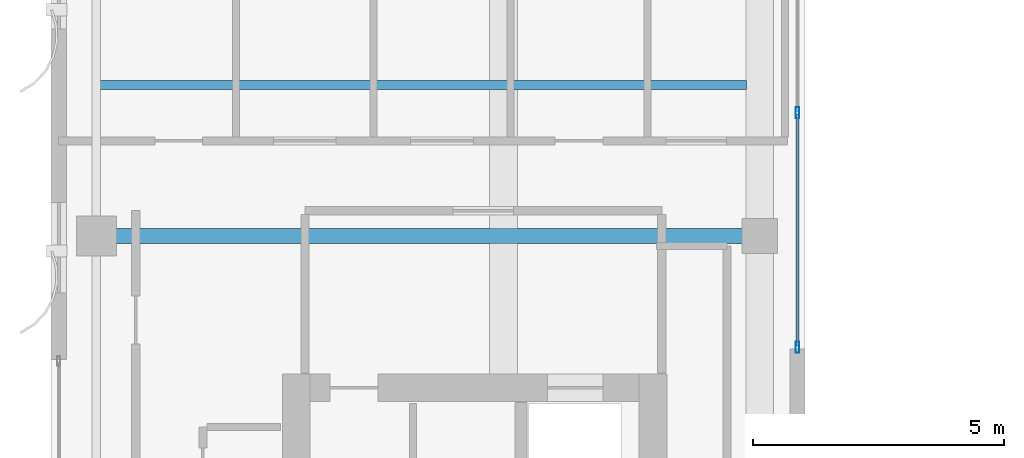
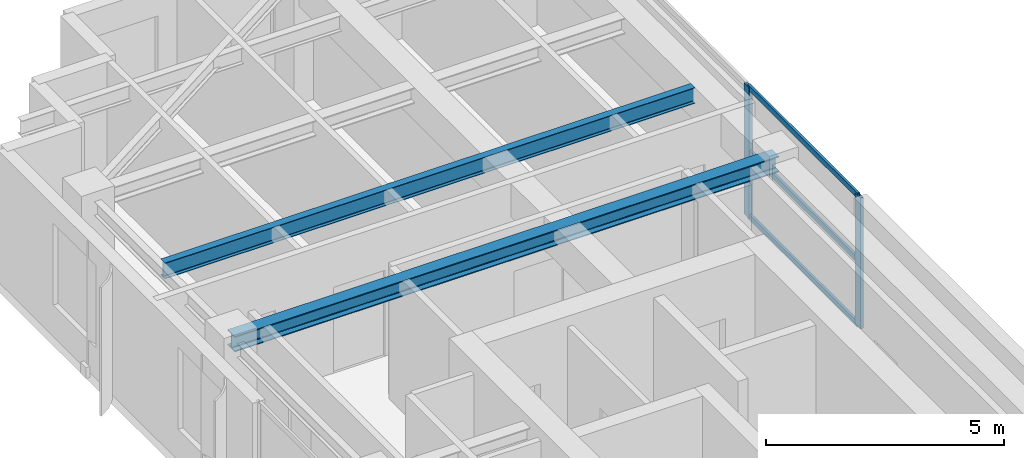
# One storey, part 9 of 22: 5 members, 2 beams, 1 element without a shape of its own.
"""IFC4 building model written with IfcOpenShell, lengths in metres."""

from ifc_helpers import new_model, si_unit, direction, frame, origin, origin_2d, place, context, subcontext, project, spatial, hollow_rectangle, i_section, extrude, source, transform, mapped, material, layer, layer_set, material_profile, profile_set, type_object, element, aggregate, save


model = new_model("IFC4")

# Units and contexts
model_context = context("Model", 3, precision=1e-05, world=origin(), true_north=direction((0.0, 1.0)))
body_context = subcontext(model_context, "Body", "Model", "MODEL_VIEW")
ifc_project = project(units=[si_unit("LENGTHUNIT", "METRE"), si_unit("AREAUNIT", "SQUARE_METRE"), si_unit("VOLUMEUNIT", "CUBIC_METRE"), si_unit("PLANEANGLEUNIT", "RADIAN"), si_unit("MASSUNIT", "GRAM", prefix="KILO")], contexts=[model_context])

# Site, building, storey
site_placement = place(None, origin())
site = spatial("IfcSite", under=ifc_project, at=site_placement, CompositionType="ELEMENT")
building_placement = place(site_placement, origin())
building = spatial("IfcBuilding", under=site, at=building_placement, Name="Khoralis Quay Care Tower", CompositionType="ELEMENT")
storey_placement = place(building_placement, frame((0.0, 0.0, 256.5)))
storey = spatial("IfcBuildingStorey", under=building, at=storey_placement, Name="L67", CompositionType="ELEMENT", Elevation=256.5)

# Beams
ifc_material_1 = material(Name="Steel S355", Category="steel")
ifc_material_profile_1 = material_profile(ifc_material_1, i_section(OverallWidth=0.300048828125, OverallDepth=0.39990234375, WebThickness=0.013427734375, FlangeThickness=0.02392578125, FilletRadius=0.027099609375, at=origin_2d()), Name="Steel S355")
ifc_profile_set_1 = profile_set([ifc_material_profile_1], Name="Steel S355")
beam_type_1 = type_object("IfcBeamType", Name="BM-HEB400", PredefinedType="BEAM", material=ifc_profile_set_1)
shared_shape_1 = source(origin(), body_context, "Body", "SweptSolid", [
    extrude(i_section(OverallWidth=0.300048828125, OverallDepth=0.39990234375, WebThickness=0.013427734375, FlangeThickness=0.02392578125, FilletRadius=0.027099609375, at=origin_2d()), origin(), (0.0, 0.0, 1.0), 13.2001953125),
])
beam_1_placement = place(storey_placement, frame((3.89990234375, 30.0, 3.159912109375), z_axis=(1.0, 0.0, 0.0), x_axis=(0.0, 1.0, 0.0)))
element("IfcBeam", 1, at=beam_1_placement, inside=storey, type_object=beam_type_1, Name="BM-TGXW-L67-300", PredefinedType="BEAM", context=body_context, shape_type="MappedRepresentation", body=[
    mapped(shared_shape_1, transform((0.0, 0.0, 0.0), scale=1.0)),
])
ifc_material_profile_2 = material_profile(ifc_material_1, i_section(OverallWidth=0.177978515625, OverallDepth=0.406982421875, WebThickness=0.0078125, FlangeThickness=0.0126953125, FilletRadius=0.012939453125, at=origin_2d()), Name="Steel S355")
ifc_profile_set_2 = profile_set([ifc_material_profile_2], Name="Steel S355")
beam_type_2 = type_object("IfcBeamType", Name="BM-W410X60", PredefinedType="JOIST", material=ifc_profile_set_2)
shared_shape_2 = source(origin(), body_context, "Body", "SweptSolid", [
    extrude(i_section(OverallWidth=0.177978515625, OverallDepth=0.406982421875, WebThickness=0.0078125, FlangeThickness=0.0126953125, FilletRadius=0.012939453125, at=origin_2d()), origin(), (0.0, 0.0, 1.0), 12.865966796875),
])
beam_2_placement = place(storey_placement, frame((3.970947265625, 33.0, 3.156494140625), z_axis=(1.0, 0.0, 0.0), x_axis=(0.0, 1.0, 0.0)))
element("IfcBeam", 2, at=beam_2_placement, inside=storey, type_object=beam_type_2, Name="BM-TJS-L67-19", PredefinedType="JOIST", context=body_context, shape_type="MappedRepresentation", body=[
    mapped(shared_shape_2, transform((0.0, 0.0, 0.0), scale=1.0)),
])

# Curtain wall, members
ifc_material_2 = material(Name="Pale anodised aluminium", Category="aluminium")
ifc_layer = layer(ifc_material_2, 0.18994140625)
ifc_layer_set = layer_set([ifc_layer], Name="Pale anodised aluminium")
curtain_wall_type = type_object("IfcCurtainWallType", Name="CW-SYS-PORTAL", PredefinedType="NOTDEFINED", material=ifc_layer_set)
curtain_wall_placement = place(storey_placement, origin())
curtain_wall = element("IfcCurtainWall", 3, at=curtain_wall_placement, inside=storey, type_object=curtain_wall_type, Name="L67 Unitised Curtain Wall CW-VP-L67-P1-N", PredefinedType="NOTDEFINED")
ifc_material_profile_3 = material_profile(ifc_material_2, hollow_rectangle(XDim=0.06005859375, YDim=0.139892578125, WallThickness=0.00390625, at=origin_2d()), Name="Pale anodised aluminium")
ifc_profile_set_3 = profile_set([ifc_material_profile_3], Name="Pale anodised aluminium")
member_type_1 = type_object("IfcMemberType", Name="CW-TRN-140", PredefinedType="USERDEFINED", material=ifc_profile_set_3)
shared_shape_3 = source(origin(), body_context, "Body", "SweptSolid", [
    extrude(hollow_rectangle(XDim=0.06005859375, YDim=0.139892578125, WallThickness=0.00390625, at=origin_2d()), origin(), (0.0, 0.0, 1.0), 4.60986328125),
])
member_1_placement = place(storey_placement, frame((17.85009765625, 27.81005859375, 0.030029296875), z_axis=(0.0, 1.0, 0.0), x_axis=(-1.0, 0.0, 0.0)))
member_1 = element("IfcMember", 4, at=member_1_placement, type_object=member_type_1, Name="CW4 transom 1.1", ObjectType="TRANSOM", PredefinedType="USERDEFINED", context=body_context, shape_type="MappedRepresentation", body=[
    mapped(shared_shape_3, transform((0.0, 0.0, 0.0), scale=1.0)),
])
member_2_placement = place(storey_placement, frame((17.85009765625, 27.81005859375, 1.679931640625), z_axis=(0.0, 1.0, 0.0), x_axis=(-1.0, 0.0, 0.0)))
member_2 = element("IfcMember", 5, at=member_2_placement, type_object=member_type_1, Name="CW4 transom 1.2", ObjectType="TRANSOM", PredefinedType="USERDEFINED", context=body_context, shape_type="MappedRepresentation", body=[
    mapped(shared_shape_3, transform((0.0, 0.0, 0.0), scale=1.0)),
])
member_3_placement = place(storey_placement, frame((17.85009765625, 27.81005859375, 3.330078125), z_axis=(0.0, 1.0, 0.0), x_axis=(-1.0, 0.0, 0.0)))
member_3 = element("IfcMember", 6, at=member_3_placement, type_object=member_type_1, Name="CW4 transom 1.3", ObjectType="TRANSOM", PredefinedType="USERDEFINED", context=body_context, shape_type="MappedRepresentation", body=[
    mapped(shared_shape_3, transform((0.0, 0.0, 0.0), scale=1.0)),
])
ifc_material_profile_4 = material_profile(ifc_material_2, hollow_rectangle(XDim=0.074951171875, YDim=0.219970703125, WallThickness=0.00390625, at=origin_2d()), Name="Pale anodised aluminium")
ifc_profile_set_4 = profile_set([ifc_material_profile_4], Name="Pale anodised aluminium")
member_type_2 = type_object("IfcMemberType", Name="CW-MUL-220", PredefinedType="MULLION", material=ifc_profile_set_4)
shared_shape_4 = source(origin(), body_context, "Body", "SweptSolid", [
    extrude(hollow_rectangle(XDim=0.074951171875, YDim=0.219970703125, WallThickness=0.00390625, at=origin_2d()), origin(), (0.0, 0.0, 1.0), 3.360107421875),
])
member_4_placement = place(storey_placement, frame((17.85009765625, 27.780029296875, 0.0), z_axis=(0.0, 0.0, 1.0), x_axis=(-1.0, 0.0, 0.0)))
member_4 = element("IfcMember", 7, at=member_4_placement, type_object=member_type_2, Name="CW4 mullion 1", PredefinedType="MULLION", context=body_context, shape_type="MappedRepresentation", body=[
    mapped(shared_shape_4, transform((0.0, 0.0, 0.0), scale=1.0)),
])
member_5_placement = place(storey_placement, frame((17.85009765625, 32.449951171875, 0.0), z_axis=(0.0, 0.0, 1.0), x_axis=(-1.0, 0.0, 0.0)))
member_5 = element("IfcMember", 8, at=member_5_placement, type_object=member_type_2, Name="CW4 mullion 2", PredefinedType="MULLION", context=body_context, shape_type="MappedRepresentation", body=[
    mapped(shared_shape_4, transform((0.0, 0.0, 0.0), scale=1.0)),
])
aggregate(curtain_wall, [member_4, member_5, member_1, member_2, member_3])

save(model, "model.ifc")
